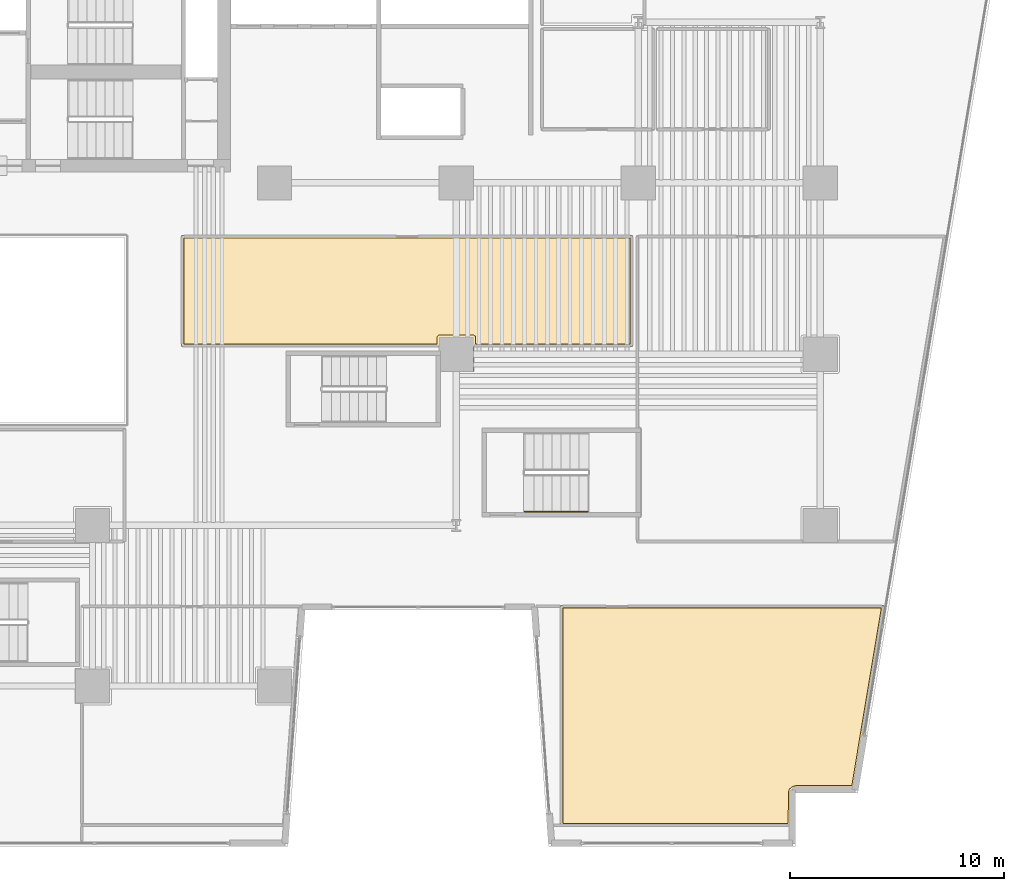
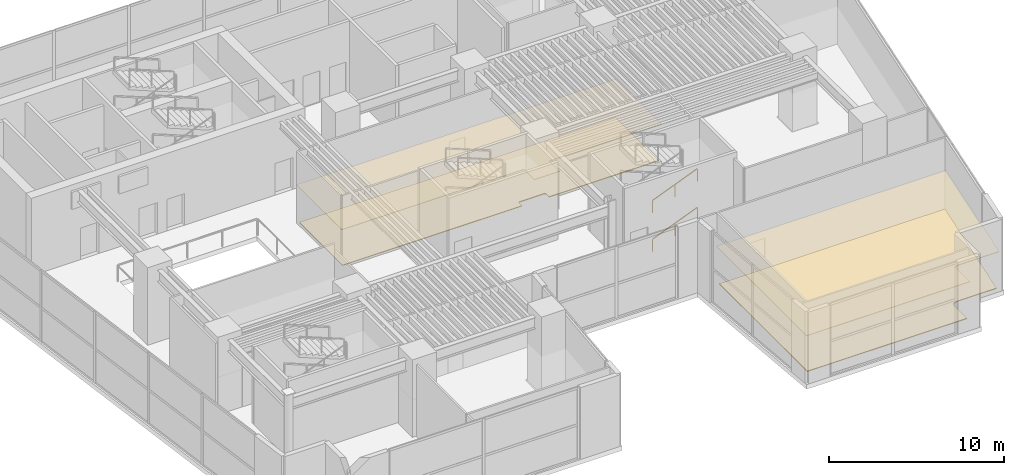
# One storey, part 14 of 16: 4 coverings, 2 railings.
"""IFC4 building model written with IfcOpenShell, lengths in metres."""

from ifc_helpers import new_model, si_unit, direction, frame, origin, origin_2d, place, context, subcontext, project, spatial, polyline, rectangle, outline, extrude, material, layer, layer_set, type_object, element, save


model = new_model("IFC4")

# Units and contexts
model_context = context("Model", 3, precision=1e-05, world=origin(), true_north=direction((0.0, 1.0)))
body_context = subcontext(model_context, "Body", "Model", "MODEL_VIEW")
ifc_project = project(units=[si_unit("LENGTHUNIT", "METRE"), si_unit("AREAUNIT", "SQUARE_METRE"), si_unit("VOLUMEUNIT", "CUBIC_METRE"), si_unit("PLANEANGLEUNIT", "RADIAN"), si_unit("MASSUNIT", "GRAM", prefix="KILO")], contexts=[model_context])

# Site, building, storey
site_placement = place(None, origin())
site = spatial("IfcSite", under=ifc_project, at=site_placement, CompositionType="ELEMENT")
building_placement = place(site_placement, origin())
building = spatial("IfcBuilding", under=site, at=building_placement, Name="Caeloran Harvest Quay", CompositionType="ELEMENT")
storey_placement = place(building_placement, frame((0.0, 0.0, 16.199951171875)))
storey = spatial("IfcBuildingStorey", under=building, at=storey_placement, Name="L04", CompositionType="ELEMENT", Elevation=16.199951171875)

# Coverings
ifc_material_1 = material(Name="Perforated Mineral-Fibre Acoustic Ceiling Tile", Category="ceiling")
ifc_layer_1 = layer(ifc_material_1, 0.0400390625, Name="Perforated Mineral-Fibre Acoustic Ceiling Tile")
ifc_layer_set_1 = layer_set([ifc_layer_1], Name="Perforated Mineral-Fibre Acoustic Ceiling Tile")
covering_type_1 = type_object("IfcCoveringType", Name="COV-CEILING-ACOUSTIC", PredefinedType="CEILING", material=ifc_layer_set_1)
covering_1_placement = place(storey_placement, frame((0.0, 0.0, 2.60009765625)))
element("IfcCovering", 1, at=covering_1_placement, inside=storey, type_object=covering_type_1, Name="Demonstration Training Kitchen Acoustic Ceiling", PredefinedType="CEILING", context=body_context, shape_type="SweptSolid", body=[
    extrude(outline(polyline([(53.9951171875, 11.260009765625), (52.57373046875, 2.719970703125), (49.844970703125, 2.719970703125), (49.740234375, 2.694091796875), (49.6611328125, 2.622314453125), (49.625, 2.521484375), (49.6240234375, 0.9599609375), (38.860107421875, 0.9599609375), (38.860107421875, 11.260009765625), (53.9951171875, 11.260009765625)])), origin(), (0.0, 0.0, 1.0), 0.0400390625),
])
covering_2_placement = place(storey_placement, frame((0.0, 0.0, 2.60009765625)))
element("IfcCovering", 2, at=covering_2_placement, inside=storey, type_object=covering_type_1, Name="Seed-to-Plate Exhibition Gallery Acoustic Ceiling", PredefinedType="CEILING", context=body_context, shape_type="SweptSolid", body=[
    extrude(outline(polyline([(34.820068359375, 22.179931640625), (33.179931640625, 22.179931640625), (33.179931640625, 23.360107421875), (21.159912109375, 23.360107421875), (21.159912109375, 28.5400390625), (42.239990234375, 28.5400390625), (42.239990234375, 23.360107421875), (34.820068359375, 23.360107421875), (34.820068359375, 22.179931640625)])), origin(), (0.0, 0.0, 1.0), 0.0400390625),
])
ifc_material_2 = material(Name="Calcium-Sulphate Raised Access Floor and Terrazzo Finish", Category="flooring")
ifc_layer_2 = layer(ifc_material_2, 0.050048828125, Name="Calcium-Sulphate Raised Access Floor and Terrazzo Finish")
ifc_layer_set_2 = layer_set([ifc_layer_2], Name="Calcium-Sulphate Raised Access Floor and Terrazzo Finish")
covering_type_2 = type_object("IfcCoveringType", Name="COV-FLOOR-RAISED", PredefinedType="FLOORING", material=ifc_layer_set_2)
covering_3_placement = place(storey_placement, origin())
element("IfcCovering", 3, at=covering_3_placement, inside=storey, type_object=covering_type_2, Name="Demonstration Training Kitchen Raised Finish Flooring", PredefinedType="FLOORING", context=body_context, shape_type="SweptSolid", body=[
    extrude(outline(polyline([(53.853515625, 11.139892578125), (52.471923828125, 2.840087890625), (49.843994140625, 2.840087890625), (49.680419921875, 2.7978515625), (49.55908203125, 2.685546875), (49.506103515625, 2.537109375), (49.50390625, 1.080078125), (38.97998046875, 1.080078125), (38.97998046875, 11.139892578125), (53.853515625, 11.139892578125)])), origin(), (0.0, 0.0, 1.0), 0.050048828125),
])
covering_4_placement = place(storey_placement, origin())
element("IfcCovering", 4, at=covering_4_placement, inside=storey, type_object=covering_type_2, Name="Seed-to-Plate Exhibition Gallery Raised Finish Flooring", PredefinedType="FLOORING", context=body_context, shape_type="SweptSolid", body=[
    extrude(outline(polyline([(42.1201171875, 28.419921875), (42.1201171875, 23.47998046875), (34.89501953125, 23.47998046875), (34.8935546875, 23.83056640625), (34.81494140625, 23.89501953125), (33.16943359375, 23.8935546875), (33.1064453125, 23.83056640625), (33.10498046875, 23.47998046875), (21.280029296875, 23.47998046875), (21.280029296875, 28.419921875), (42.1201171875, 28.419921875)])), origin(), (0.0, 0.0, 1.0), 0.050048828125),
])

# Railings
ifc_material_3 = material(Name="Brushed Stainless Steel Grade 304", Category="steel")
ifc_layer_3 = layer(ifc_material_3, 0.050048828125, Name="Brushed Stainless Steel Grade 304")
ifc_layer_set_3 = layer_set([ifc_layer_3], Name="Brushed Stainless Steel Grade 304")
railing_type = type_object("IfcRailingType", Name="STAIR-HANDRAIL-900", PredefinedType="HANDRAIL", material=ifc_layer_set_3)
railing_1_placement = place(storey_placement, frame((37.199951171875, 15.64990234375, 0.168701171875)))
element("IfcRailing", 5, at=railing_1_placement, inside=storey, type_object=railing_type, Name="L04 ST-P2 stair handrail 1", PredefinedType="HANDRAIL", context=body_context, shape_type="SweptSolid", body=[
    extrude(rectangle(XDim=0.048095703125, YDim=0.048095703125, at=origin_2d()), frame((0.0, 0.0, 0.8759765625), z_axis=(0.927885657282, 0.0, 0.372864864274), x_axis=(0.0, 1.0, 0.0)), (0.0, 0.0, 1.0), 3.16845703125),
    extrude(rectangle(XDim=0.0419921875, YDim=0.0419921875, at=origin_2d()), origin(), (0.0, 0.0, 1.0), 0.851806640625),
    extrude(rectangle(XDim=0.0419921875, YDim=0.0419921875, at=origin_2d()), frame((1.469970703125, 0.0, 0.5908203125)), (0.0, 0.0, 1.0), 0.851806640625),
    extrude(rectangle(XDim=0.0419921875, YDim=0.0419921875, at=origin_2d()), frame((2.93994140625, 0.0, 1.181396484375)), (0.0, 0.0, 1.0), 0.851806640625),
])
railing_2_placement = place(storey_placement, frame((37.199951171875, 15.64990234375, 2.868896484375)))
element("IfcRailing", 6, at=railing_2_placement, inside=storey, type_object=railing_type, Name="L04 ST-P2 stair handrail 3", PredefinedType="HANDRAIL", context=body_context, shape_type="SweptSolid", body=[
    extrude(rectangle(XDim=0.048095703125, YDim=0.048095703125, at=origin_2d()), frame((0.0, 0.0, 0.8759765625), z_axis=(0.927912314548, 0.0, 0.372798519995), x_axis=(0.0, 1.0, 0.0)), (0.0, 0.0, 1.0), 3.16845703125),
    extrude(rectangle(XDim=0.0419921875, YDim=0.0419921875, at=origin_2d()), origin(), (0.0, 0.0, 1.0), 0.851806640625),
    extrude(rectangle(XDim=0.0419921875, YDim=0.0419921875, at=origin_2d()), frame((1.469970703125, 0.0, 0.590576171875)), (0.0, 0.0, 1.0), 0.851806640625),
    extrude(rectangle(XDim=0.0419921875, YDim=0.0419921875, at=origin_2d()), frame((2.93994140625, 0.0, 1.18115234375)), (0.0, 0.0, 1.0), 0.851806640625),
])

save(model, "model.ifc")
